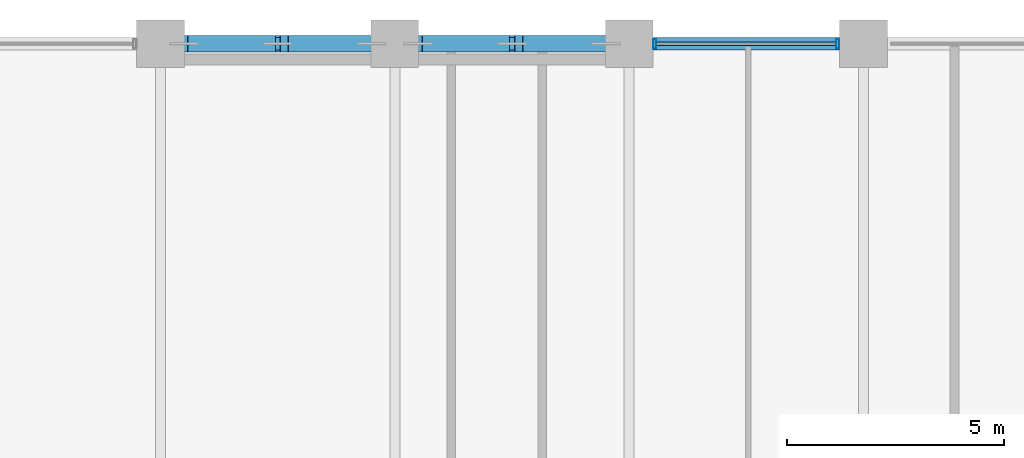
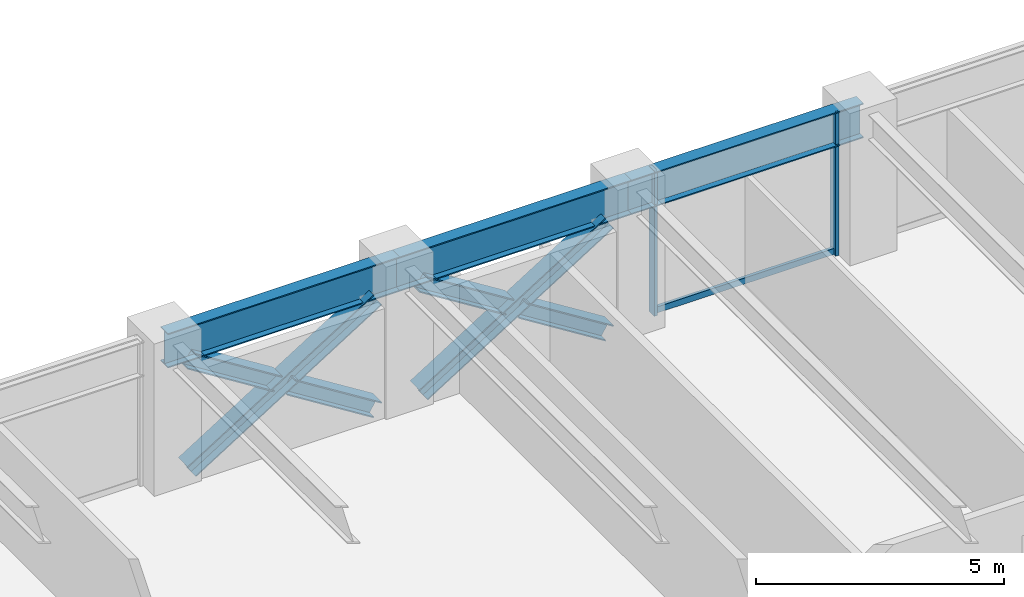
# One storey, part 18 of 29: 9 members, 3 beams, 1 element without a shape of its own.
"""IFC4 building model written with IfcOpenShell, lengths in metres."""

from ifc_helpers import new_model, si_unit, direction, frame, origin, origin_2d, place, context, subcontext, project, spatial, hollow_rectangle, i_section, extrude, material, layer, layer_set, material_profile, profile_set, type_object, element, aggregate, save


model = new_model("IFC4")

# Units and contexts
model_context = context("Model", 3, precision=1e-05, world=origin(), true_north=direction((0.0, 1.0)))
body_context = subcontext(model_context, "Body", "Model", "MODEL_VIEW")
ifc_project = project(units=[si_unit("LENGTHUNIT", "METRE"), si_unit("AREAUNIT", "SQUARE_METRE"), si_unit("VOLUMEUNIT", "CUBIC_METRE"), si_unit("PLANEANGLEUNIT", "RADIAN"), si_unit("MASSUNIT", "GRAM", prefix="KILO")], contexts=[model_context])

# Site, building, storey
site_placement = place(None, origin())
site = spatial("IfcSite", under=ifc_project, at=site_placement, CompositionType="ELEMENT")
building_placement = place(site_placement, origin())
building = spatial("IfcBuilding", under=site, at=building_placement, Name="Surkhivell Harbour Commons", CompositionType="ELEMENT")
storey_placement = place(building_placement, frame((0.0, 0.0, 87.0)))
storey = spatial("IfcBuildingStorey", under=building, at=storey_placement, Name="L22", CompositionType="ELEMENT", Elevation=87.0)

# Beams
ifc_material_1 = material(Name="Steel S460", Category="steel")
ifc_material_profile_1 = material_profile(ifc_material_1, i_section(OverallWidth=0.2939453125, OverallDepth=0.85107421875, WebThickness=0.01611328125, FlangeThickness=0.02685546875, at=origin_2d()), Name="UB838x292x226")
ifc_profile_set_1 = profile_set([ifc_material_profile_1], Name="Steel S460")
beam_type = type_object("IfcBeamType", Name="BM-SPN-838", PredefinedType="SPANDREL", material=ifc_profile_set_1)
for number, where, z_axis, x_axis, name in (
    (1, (-5.39990234375, 25.89990234375, 3.14453125), (1.0, 0.0, 0.0), (0.0, 1.0, 0.0), "L22 Tube Spandrel (-5.4,25.9)"),
    (2, (0.0, 25.89990234375, 3.14453125), (1.0, 0.0, 0.0), (0.0, 1.0, 0.0), "L22 Tube Spandrel (-0.0,25.9)"),
):
    element("IfcBeam", number, at=place(storey_placement, frame(where, z_axis=z_axis, x_axis=x_axis)), inside=storey, type_object=beam_type, Name=name, PredefinedType="SPANDREL", context=body_context, shape_type="SweptSolid", body=[
        extrude(i_section(OverallWidth=0.2939453125, OverallDepth=0.85107421875, WebThickness=0.01611328125, FlangeThickness=0.02685546875, at=origin_2d()), origin(), (0.0, 0.0, 1.0), 5.39990234375),
    ])
beam_placement = place(storey_placement, frame((5.39990234375, 25.89990234375, 3.14453125), z_axis=(1.0, 0.0, 0.0), x_axis=(0.0, 1.0, 0.0)))
element("IfcBeam", 3, at=beam_placement, inside=storey, type_object=beam_type, Name="L22 Tube Spandrel (5.4,25.9)", PredefinedType="SPANDREL", context=body_context, shape_type="SweptSolid", body=[
    extrude(i_section(OverallWidth=0.2939453125, OverallDepth=0.85107421875, WebThickness=0.01611328125, FlangeThickness=0.02685546875, at=origin_2d()), origin(), (0.0, 0.0, 1.0), 5.400146484375),
])

# Curtain wall, members
ifc_material_2 = material(Name="Anodised pale-metal aluminium and insulated glazing", Category="aluminium")
ifc_layer = layer(ifc_material_2, 0.205078125)
ifc_layer_set = layer_set([ifc_layer], Name="Anodised pale-metal aluminium and insulated glazing")
curtain_wall_type = type_object("IfcCurtainWallType", Name="CW-SYS-Z2", PredefinedType="NOTDEFINED", material=ifc_layer_set)
curtain_wall_placement = place(storey_placement, origin())
curtain_wall = element("IfcCurtainWall", 4, at=curtain_wall_placement, inside=storey, type_object=curtain_wall_type, Name="L22 Curtain Wall CW-L22-E07S1", PredefinedType="NOTDEFINED")
ifc_material_3 = material(Name="Anodised pale-metal aluminium alloy 6063-T6", Category="aluminium")
ifc_material_profile_2 = material_profile(ifc_material_3, hollow_rectangle(XDim=0.074951171875, YDim=0.219970703125, WallThickness=0.00390625, at=origin_2d()), Name="ALU-MULL-75x220")
ifc_profile_set_2 = profile_set([ifc_material_profile_2], Name="Anodised pale-metal aluminium alloy 6063-T6")
member_type_1 = type_object("IfcMemberType", Name="CWM-220", PredefinedType="MULLION", material=ifc_profile_set_2)
member_1_placement = place(storey_placement, frame((10.21044921875, 25.89990234375, 0.0), z_axis=(0.0, 0.0, 1.0), x_axis=(-1.0, 0.0, 0.0)))
member_1 = element("IfcMember", 5, at=member_1_placement, type_object=member_type_1, Name="CW-Z2 mullion 2", PredefinedType="MULLION", context=body_context, shape_type="SweptSolid", body=[
    extrude(hollow_rectangle(XDim=0.074951171875, YDim=0.219970703125, WallThickness=0.00390625, at=origin_2d()), origin(), (0.0, 0.0, 1.0), 3.570068359375),
])
member_2_placement = place(storey_placement, frame((5.989501953125, 25.89990234375, 0.0), z_axis=(0.0, 0.0, 1.0), x_axis=(-1.0, 0.0, 0.0)))
member_2 = element("IfcMember", 6, at=member_2_placement, type_object=member_type_1, Name="CW-Z2 mullion 3", PredefinedType="MULLION", context=body_context, shape_type="SweptSolid", body=[
    extrude(hollow_rectangle(XDim=0.074951171875, YDim=0.219970703125, WallThickness=0.00390625, at=origin_2d()), origin(), (0.0, 0.0, 1.0), 3.570068359375),
])
ifc_material_profile_3 = material_profile(ifc_material_3, hollow_rectangle(XDim=0.074951171875, YDim=0.14990234375, WallThickness=0.00341796875, at=origin_2d()), Name="ALU-TRAN-75x150")
ifc_profile_set_3 = profile_set([ifc_material_profile_3], Name="Anodised pale-metal aluminium alloy 6063-T6")
member_type_2 = type_object("IfcMemberType", Name="CWT-150", PredefinedType="USERDEFINED", material=ifc_profile_set_3)
member_3_placement = place(storey_placement, frame((10.173095703125, 25.89990234375, 0.074951171875), z_axis=(-1.0, 0.0, 0.0), x_axis=(0.0, -1.0, 0.0)))
member_3 = element("IfcMember", 7, at=member_3_placement, type_object=member_type_2, Name="CW-Z2 transom 2.1", ObjectType="TRANSOM", PredefinedType="USERDEFINED", context=body_context, shape_type="SweptSolid", body=[
    extrude(hollow_rectangle(XDim=0.074951171875, YDim=0.14990234375, WallThickness=0.00341796875, at=origin_2d()), origin(), (0.0, 0.0, 1.0), 4.14599609375),
])
aggregate(curtain_wall, [member_1, member_2, member_3])

# Members
ifc_material_profile_4 = material_profile(ifc_material_1, i_section(OverallWidth=0.375, OverallDepth=0.375, WebThickness=0.0166015625, FlangeThickness=0.027099609375, at=origin_2d()), Name="UC356x368x202")
ifc_profile_set_4 = profile_set([ifc_material_profile_4], Name="Steel S460")
member_type_3 = type_object("IfcMemberType", Name="MEM-BRC-UC356", PredefinedType="BRACE", material=ifc_profile_set_4)
member_4_placement = place(storey_placement, frame((-4.864990234375, 25.89990234375, 0.008056640625), z_axis=(0.847246015888, 0.0, 0.531200704594), x_axis=(0.0, 1.0, 0.0)))
element("IfcMember", 8, at=member_4_placement, inside=storey, type_object=member_type_3, Name="L22 Perimeter Mega-Brace MB- 01", PredefinedType="BRACE", context=body_context, shape_type="SweptSolid", body=[
    extrude(i_section(OverallWidth=0.375, OverallDepth=0.375, WebThickness=0.0166015625, FlangeThickness=0.027099609375, at=origin_2d()), origin(), (0.0, 0.0, 1.0), 5.11083984375),
])
member_5_placement = place(storey_placement, frame((-0.534912109375, 25.89990234375, 0.008056640625), z_axis=(-0.8472353132, 0.0, 0.531217774615), x_axis=(0.0, -1.0, 0.0)))
element("IfcMember", 9, at=member_5_placement, inside=storey, type_object=member_type_3, Name="L22 Perimeter Mega-Brace MB- 02", PredefinedType="BRACE", context=body_context, shape_type="SweptSolid", body=[
    extrude(i_section(OverallWidth=0.375, OverallDepth=0.375, WebThickness=0.0166015625, FlangeThickness=0.027099609375, at=origin_2d()), origin(), (0.0, 0.0, 1.0), 2.37548828125),
])
member_6_placement = place(storey_placement, frame((-2.8525390625, 25.89990234375, 1.461181640625), z_axis=(-0.84725256761, 0.0, 0.53119025469), x_axis=(0.0, -1.0, 0.0)))
element("IfcMember", 10, at=member_6_placement, inside=storey, type_object=member_type_3, Name="L22 Perimeter Mega-Brace MB- 03", PredefinedType="BRACE", context=body_context, shape_type="SweptSolid", body=[
    extrude(i_section(OverallWidth=0.375, OverallDepth=0.375, WebThickness=0.0166015625, FlangeThickness=0.027099609375, at=origin_2d()), origin(), (0.0, 0.0, 1.0), 2.375244140625),
])
member_7_placement = place(storey_placement, frame((0.534912109375, 25.89990234375, 0.008056640625), z_axis=(0.847246015888, 0.0, 0.531200704594), x_axis=(0.0, 1.0, 0.0)))
element("IfcMember", 11, at=member_7_placement, inside=storey, type_object=member_type_3, Name="L22 Perimeter Mega-Brace MB- 04", PredefinedType="BRACE", context=body_context, shape_type="SweptSolid", body=[
    extrude(i_section(OverallWidth=0.375, OverallDepth=0.375, WebThickness=0.0166015625, FlangeThickness=0.027099609375, at=origin_2d()), origin(), (0.0, 0.0, 1.0), 5.11083984375),
])
for number, where, z_axis, x_axis, name in (
    (12, (4.864990234375, 25.89990234375, 0.008056640625), (-0.847206308526, 0.0, 0.53126403115), (0.0, -1.0, 0.0), "L22 Perimeter Mega-Brace MB- 05"),
    (13, (2.547607421875, 25.89990234375, 1.461181640625), (-0.847281565812, 0.0, 0.531143999529), (0.0, -1.0, 0.0), "L22 Perimeter Mega-Brace MB- 06"),
):
    element("IfcMember", number, at=place(storey_placement, frame(where, z_axis=z_axis, x_axis=x_axis)), inside=storey, type_object=member_type_3, Name=name, PredefinedType="BRACE", context=body_context, shape_type="SweptSolid", body=[
        extrude(i_section(OverallWidth=0.375, OverallDepth=0.375, WebThickness=0.0166015625, FlangeThickness=0.027099609375, at=origin_2d()), origin(), (0.0, 0.0, 1.0), 2.37548828125),
    ])

save(model, "model.ifc")
